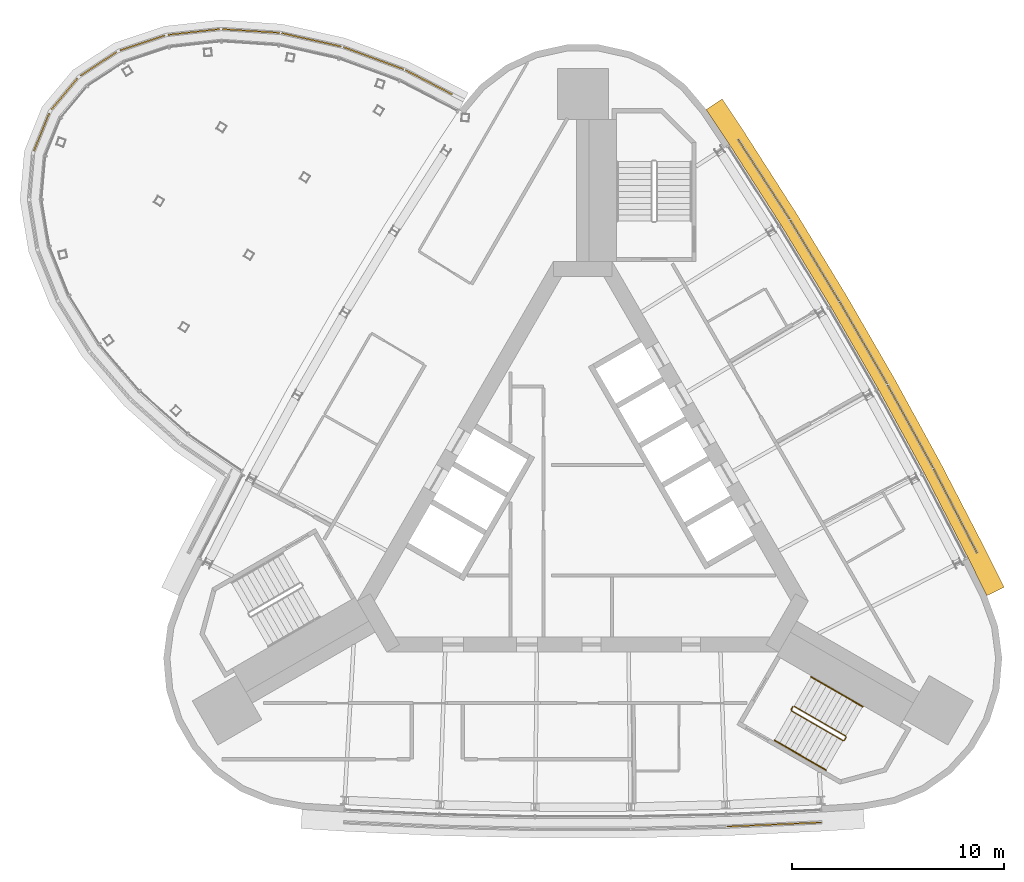
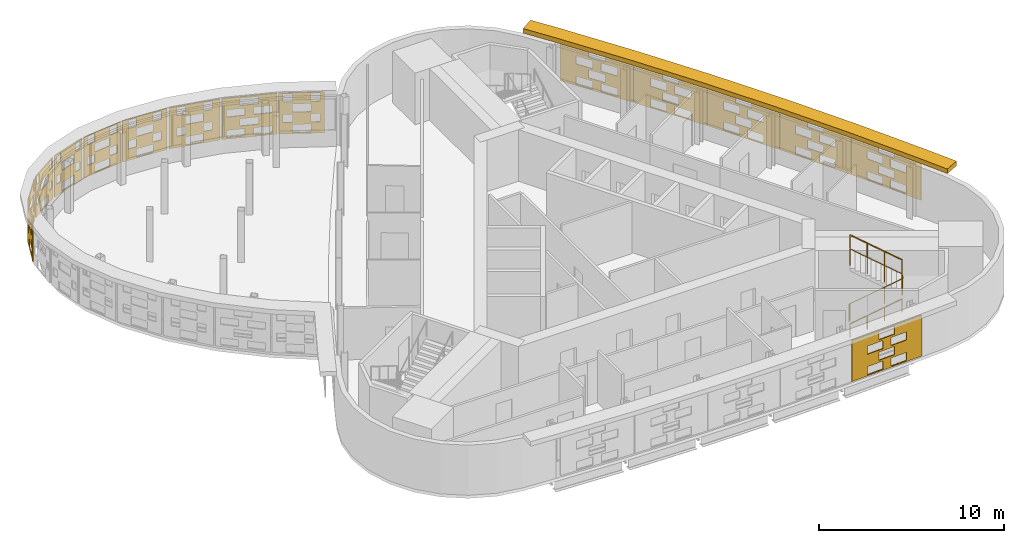
# One storey, part 13 of 13: 16 shading devices, 3 railings.
"""IFC4 building model written with IfcOpenShell, lengths in metres."""

from ifc_helpers import new_model, si_unit, direction, frame, origin, origin_2d, place, context, subcontext, project, spatial, polyline, circle, outline, extrude, material, layer, layer_set, material_profile, profile_set, type_object, element, save


model = new_model("IFC4")

# Units and contexts
model_context = context("Model", 3, precision=1e-05, world=origin(), true_north=direction((0.0, 1.0)))
body_context = subcontext(model_context, "Body", "Model", "MODEL_VIEW")
ifc_project = project(units=[si_unit("LENGTHUNIT", "METRE"), si_unit("AREAUNIT", "SQUARE_METRE"), si_unit("VOLUMEUNIT", "CUBIC_METRE"), si_unit("PLANEANGLEUNIT", "RADIAN"), si_unit("MASSUNIT", "GRAM", prefix="KILO")], contexts=[model_context])

# Site, building, storey
site_placement = place(None, origin())
site = spatial("IfcSite", under=ifc_project, at=site_placement, CompositionType="ELEMENT")
building_placement = place(site_placement, origin())
building = spatial("IfcBuilding", under=site, at=building_placement, Name="Noor Cloister Tower", CompositionType="ELEMENT")
storey_placement = place(building_placement, frame((0.0, 0.0, 263.39990234375)))
storey = spatial("IfcBuildingStorey", under=building, at=storey_placement, Name="L67", CompositionType="ELEMENT", Elevation=263.39990234375)

# Shading devices
ifc_material_1 = material(Name="Limestone", Category="masonry")
ifc_material_profile = material_profile(ifc_material_1, outline(polyline([(-2.22998046875, -1.35009765625), (2.22998046875, -1.35009765625), (2.22998046875, 1.35009765625), (-2.22998046875, 1.35009765625), (-2.22998046875, -1.35009765625)]), holes=[polyline([(-1.25, -1.282470703125), (-0.25, -1.282470703125), (-0.25, -0.742431640625), (-1.25, -0.742431640625), (-1.25, -1.282470703125)]), polyline([(0.25, -1.282470703125), (1.25, -1.282470703125), (1.25, -0.742431640625), (0.25, -0.742431640625), (0.25, -1.282470703125)]), polyline([(-0.5, -0.607421875), (0.5, -0.607421875), (0.5, -0.0673828125), (-0.5, -0.0673828125), (-0.5, -0.607421875)]), polyline([(-1.25, 0.0673828125), (-0.25, 0.0673828125), (-0.25, 0.607421875), (-1.25, 0.607421875), (-1.25, 0.0673828125)]), polyline([(0.25, 0.0673828125), (1.25, 0.0673828125), (1.25, 0.607421875), (0.25, 0.607421875), (0.25, 0.0673828125)]), polyline([(-0.5, 0.742431640625), (0.5, 0.742431640625), (0.5, 1.282470703125), (-0.5, 1.282470703125), (-0.5, 0.742431640625)])]), Name="Woven screen 35 percent open")
ifc_profile_set = profile_set([ifc_material_profile], Name="Limestone")
shading_device_type_1 = type_object("IfcShadingDeviceType", Name="SCREEN woven limestone 35 percent open", PredefinedType="USERDEFINED", material=ifc_profile_set)
shading_device_1_placement = place(storey_placement, frame((9.01708984375, -15.014404296875, 1.85009765625), z_axis=(0.044852774233, -0.998993607909, 0.0), x_axis=(0.998993607909, 0.044852774233, 0.0)))
element("IfcShadingDevice", 1, at=shading_device_1_placement, inside=storey, type_object=shading_device_type_1, Name="SCREEN L67 5", ObjectType="SCREEN", PredefinedType="USERDEFINED", context=body_context, shape_type="SweptSolid", body=[
    extrude(outline(polyline([(-2.22998046875, -1.35009765625), (2.22998046875, -1.35009765625), (2.22998046875, 1.35009765625), (-2.22998046875, 1.35009765625), (-2.22998046875, -1.35009765625)]), holes=[polyline([(-1.25, -1.282470703125), (-0.25, -1.282470703125), (-0.25, -0.742431640625), (-1.25, -0.742431640625), (-1.25, -1.282470703125)]), polyline([(0.25, -1.282470703125), (1.25, -1.282470703125), (1.25, -0.742431640625), (0.25, -0.742431640625), (0.25, -1.282470703125)]), polyline([(-0.5, -0.607421875), (0.5, -0.607421875), (0.5, -0.0673828125), (-0.5, -0.0673828125), (-0.5, -0.607421875)]), polyline([(-1.25, 0.0673828125), (-0.25, 0.0673828125), (-0.25, 0.607421875), (-1.25, 0.607421875), (-1.25, 0.0673828125)]), polyline([(0.25, 0.0673828125), (1.25, 0.0673828125), (1.25, 0.607421875), (0.25, 0.607421875), (0.25, 0.0673828125)]), polyline([(-0.5, 0.742431640625), (0.5, 0.742431640625), (0.5, 1.282470703125), (-0.5, 1.282470703125), (-0.5, 0.742431640625)])]), origin(), (0.0, 0.0, 1.0), 0.059814453125),
])
shading_device_2_placement = place(storey_placement, frame((17.51123046875, -0.3017578125, 1.85009765625), z_axis=(0.888674000225, 0.458539552628, 0.0), x_axis=(-0.458539552628, 0.888674000225, 0.0)))
element("IfcShadingDevice", 2, at=shading_device_2_placement, inside=storey, type_object=shading_device_type_1, Name="SCREEN L67 1", ObjectType="SCREEN", PredefinedType="USERDEFINED", context=body_context, shape_type="SweptSolid", body=[
    extrude(outline(polyline([(-2.22998046875, -1.35009765625), (2.22998046875, -1.35009765625), (2.22998046875, 1.35009765625), (-2.22998046875, 1.35009765625), (-2.22998046875, -1.35009765625)]), holes=[polyline([(-1.25, -1.282470703125), (-0.25, -1.282470703125), (-0.25, -0.742431640625), (-1.25, -0.742431640625), (-1.25, -1.282470703125)]), polyline([(0.25, -1.282470703125), (1.25, -1.282470703125), (1.25, -0.742431640625), (0.25, -0.742431640625), (0.25, -1.282470703125)]), polyline([(-0.5, -0.607421875), (0.5, -0.607421875), (0.5, -0.0673828125), (-0.5, -0.0673828125), (-0.5, -0.607421875)]), polyline([(-1.25, 0.0673828125), (-0.25, 0.0673828125), (-0.25, 0.607421875), (-1.25, 0.607421875), (-1.25, 0.0673828125)]), polyline([(0.25, 0.0673828125), (1.25, 0.0673828125), (1.25, 0.607421875), (0.25, 0.607421875), (0.25, 0.0673828125)]), polyline([(-0.5, 0.742431640625), (0.5, 0.742431640625), (0.5, 1.282470703125), (-0.5, 1.282470703125), (-0.5, 0.742431640625)])]), origin(), (0.0, 0.0, 1.0), 0.06005859375),
])
shading_device_3_placement = place(storey_placement, frame((15.3935546875, 3.679931640625, 1.85009765625), z_axis=(0.876645997325, 0.481135942718, 0.0), x_axis=(-0.481135942718, 0.876645997325, 0.0)))
element("IfcShadingDevice", 3, at=shading_device_3_placement, inside=storey, type_object=shading_device_type_1, Name="SCREEN L67 2", ObjectType="SCREEN", PredefinedType="USERDEFINED", context=body_context, shape_type="SweptSolid", body=[
    extrude(outline(polyline([(-2.22998046875, -1.35009765625), (2.22998046875, -1.35009765625), (2.22998046875, 1.35009765625), (-2.22998046875, 1.35009765625), (-2.22998046875, -1.35009765625)]), holes=[polyline([(-1.25, -1.282470703125), (-0.25, -1.282470703125), (-0.25, -0.742431640625), (-1.25, -0.742431640625), (-1.25, -1.282470703125)]), polyline([(0.25, -1.282470703125), (1.25, -1.282470703125), (1.25, -0.742431640625), (0.25, -0.742431640625), (0.25, -1.282470703125)]), polyline([(-0.5, -0.607421875), (0.5, -0.607421875), (0.5, -0.0673828125), (-0.5, -0.0673828125), (-0.5, -0.607421875)]), polyline([(-1.25, 0.0673828125), (-0.25, 0.0673828125), (-0.25, 0.607421875), (-1.25, 0.607421875), (-1.25, 0.0673828125)]), polyline([(0.25, 0.0673828125), (1.25, 0.0673828125), (1.25, 0.607421875), (0.25, 0.607421875), (0.25, 0.0673828125)]), polyline([(-0.5, 0.742431640625), (0.5, 0.742431640625), (0.5, 1.282470703125), (-0.5, 1.282470703125), (-0.5, 0.742431640625)])]), origin(), (0.0, 0.0, 1.0), 0.059814453125),
])
shading_device_4_placement = place(storey_placement, frame((13.183837890625, 7.61181640625, 1.85009765625), z_axis=(0.865982457891, 0.500074377092, 0.0), x_axis=(-0.500074377092, 0.865982457891, 0.0)))
element("IfcShadingDevice", 4, at=shading_device_4_placement, inside=storey, type_object=shading_device_type_1, Name="SCREEN L67 3", ObjectType="SCREEN", PredefinedType="USERDEFINED", context=body_context, shape_type="SweptSolid", body=[
    extrude(outline(polyline([(-2.22998046875, -1.35009765625), (2.22998046875, -1.35009765625), (2.22998046875, 1.35009765625), (-2.22998046875, 1.35009765625), (-2.22998046875, -1.35009765625)]), holes=[polyline([(-1.25, -1.282470703125), (-0.25, -1.282470703125), (-0.25, -0.742431640625), (-1.25, -0.742431640625), (-1.25, -1.282470703125)]), polyline([(0.25, -1.282470703125), (1.25, -1.282470703125), (1.25, -0.742431640625), (0.25, -0.742431640625), (0.25, -1.282470703125)]), polyline([(-0.5, -0.607421875), (0.5, -0.607421875), (0.5, -0.0673828125), (-0.5, -0.0673828125), (-0.5, -0.607421875)]), polyline([(-1.25, 0.0673828125), (-0.25, 0.0673828125), (-0.25, 0.607421875), (-1.25, 0.607421875), (-1.25, 0.0673828125)]), polyline([(0.25, 0.0673828125), (1.25, 0.0673828125), (1.25, 0.607421875), (0.25, 0.607421875), (0.25, 0.0673828125)]), polyline([(-0.5, 0.742431640625), (0.5, 0.742431640625), (0.5, 1.282470703125), (-0.5, 1.282470703125), (-0.5, 0.742431640625)])]), origin(), (0.0, 0.0, 1.0), 0.06005859375),
])
for number, where, z_axis, x_axis, name in (
    (5, (10.8837890625, 11.4912109375, 1.85009765625), (0.855690023312, 0.517488728384, 0.0), (-0.517488728384, 0.855690023312, 0.0), "SCREEN L67 4"),
    (6, (8.494384765625, 15.316162109375, 1.85009765625), (0.840116811995, 0.54240551454, 0.0), (-0.54240551454, 0.840116811995, 0.0), "SCREEN L67 5"),
):
    element("IfcShadingDevice", number, at=place(storey_placement, frame(where, z_axis=z_axis, x_axis=x_axis)), inside=storey, type_object=shading_device_type_1, Name=name, ObjectType="SCREEN", PredefinedType="USERDEFINED", context=body_context, shape_type="SweptSolid", body=[
        extrude(outline(polyline([(-2.22998046875, -1.35009765625), (2.22998046875, -1.35009765625), (2.22998046875, 1.35009765625), (-2.22998046875, 1.35009765625), (-2.22998046875, -1.35009765625)]), holes=[polyline([(-1.25, -1.282470703125), (-0.25, -1.282470703125), (-0.25, -0.742431640625), (-1.25, -0.742431640625), (-1.25, -1.282470703125)]), polyline([(0.25, -1.282470703125), (1.25, -1.282470703125), (1.25, -0.742431640625), (0.25, -0.742431640625), (0.25, -1.282470703125)]), polyline([(-0.5, -0.607421875), (0.5, -0.607421875), (0.5, -0.0673828125), (-0.5, -0.0673828125), (-0.5, -0.607421875)]), polyline([(-1.25, 0.0673828125), (-0.25, 0.0673828125), (-0.25, 0.607421875), (-1.25, 0.607421875), (-1.25, 0.0673828125)]), polyline([(0.25, 0.0673828125), (1.25, 0.0673828125), (1.25, 0.607421875), (0.25, 0.607421875), (0.25, 0.0673828125)]), polyline([(-0.5, 0.742431640625), (0.5, 0.742431640625), (0.5, 1.282470703125), (-0.5, 1.282470703125), (-0.5, 0.742431640625)])]), origin(), (0.0, 0.0, 1.0), 0.059814453125),
    ])
ifc_material_2 = material(Name="Limestone", Category="masonry")
ifc_layer = layer(ifc_material_2, 0.06005859375)
ifc_layer_set = layer_set([ifc_layer], Name="SCREEN woven limestone pod 35 percent open")
shading_device_type_2 = type_object("IfcShadingDeviceType", Name="SCREEN woven limestone pod 35 percent open", PredefinedType="USERDEFINED", material=ifc_layer_set)
shading_device_5_placement = place(storey_placement, frame((-7.25634765625, 19.86767578125, 1.85009765625), z_axis=(0.460198285861, 0.887816162103, 0.0), x_axis=(-0.887816162103, 0.460198285861, 0.0)))
element("IfcShadingDevice", 7, at=shading_device_5_placement, inside=storey, type_object=shading_device_type_2, Name="SCREEN L67 1", ObjectType="SCREEN", PredefinedType="USERDEFINED", context=body_context, shape_type="SweptSolid", body=[
    extrude(outline(polyline([(-1.24365234375, -1.35009765625), (1.24365234375, -1.35009765625), (1.24365234375, 1.35009765625), (-1.24365234375, 1.35009765625), (-1.24365234375, -1.35009765625)]), holes=[polyline([(-0.5, -1.282470703125), (0.5, -1.282470703125), (0.5, -0.742431640625), (-0.5, -0.742431640625), (-0.5, -1.282470703125)]), polyline([(-1.0, -0.607421875), (-0.5, -0.607421875), (-0.5, -0.0673828125), (-1.0, -0.0673828125), (-1.0, -0.607421875)]), polyline([(0.5, -0.607421875), (1.0, -0.607421875), (1.0, -0.0673828125), (0.5, -0.0673828125), (0.5, -0.607421875)]), polyline([(-0.5, 0.0673828125), (0.5, 0.0673828125), (0.5, 0.607421875), (-0.5, 0.607421875), (-0.5, 0.0673828125)]), polyline([(-1.0, 0.742431640625), (-0.5, 0.742431640625), (-0.5, 1.282470703125), (-1.0, 1.282470703125), (-1.0, 0.742431640625)]), polyline([(0.5, 0.742431640625), (1.0, 0.742431640625), (1.0, 1.282470703125), (0.5, 1.282470703125), (0.5, 0.742431640625)])]), origin(), (0.0, 0.0, 1.0), 0.06005859375),
])
shading_device_6_placement = place(storey_placement, frame((-9.86279296875, 21.001220703125, 1.85009765625), z_axis=(0.345328788842, 0.938481767323, 0.0), x_axis=(-0.938481767323, 0.345328788842, 0.0)))
element("IfcShadingDevice", 8, at=shading_device_6_placement, inside=storey, type_object=shading_device_type_2, Name="SCREEN L67 2", ObjectType="SCREEN", PredefinedType="USERDEFINED", context=body_context, shape_type="SweptSolid", body=[
    extrude(outline(polyline([(-1.50732421875, -1.35009765625), (1.50732421875, -1.35009765625), (1.50732421875, 1.35009765625), (-1.50732421875, 1.35009765625), (-1.50732421875, -1.35009765625)]), holes=[polyline([(-1.25, -1.25), (-0.25, -1.25), (-0.25, -0.775146484375), (-1.25, -0.775146484375), (-1.25, -1.25)]), polyline([(0.25, -1.25), (1.25, -1.25), (1.25, -0.775146484375), (0.25, -0.775146484375), (0.25, -1.25)]), polyline([(-0.5, -0.574951171875), (0.5, -0.574951171875), (0.5, -0.10009765625), (-0.5, -0.10009765625), (-0.5, -0.574951171875)]), polyline([(-1.25, 0.10009765625), (-0.25, 0.10009765625), (-0.25, 0.574951171875), (-1.25, 0.574951171875), (-1.25, 0.10009765625)]), polyline([(0.25, 0.10009765625), (1.25, 0.10009765625), (1.25, 0.574951171875), (0.25, 0.574951171875), (0.25, 0.10009765625)]), polyline([(-0.5, 0.775146484375), (0.5, 0.775146484375), (0.5, 1.25), (-0.5, 1.25), (-0.5, 0.775146484375)])]), origin(), (0.0, 0.0, 1.0), 0.06005859375),
])
shading_device_7_placement = place(storey_placement, frame((-12.77734375, 21.86279296875, 1.85009765625), z_axis=(0.219512195122, 0.975609756098, 0.0), x_axis=(-0.975609756098, 0.219512195122, 0.0)))
element("IfcShadingDevice", 9, at=shading_device_7_placement, inside=storey, type_object=shading_device_type_2, Name="SCREEN L67 3", ObjectType="SCREEN", PredefinedType="USERDEFINED", context=body_context, shape_type="SweptSolid", body=[
    extrude(outline(polyline([(-1.43798828125, -1.35009765625), (1.43798828125, -1.35009765625), (1.43798828125, 1.35009765625), (-1.43798828125, 1.35009765625), (-1.43798828125, -1.35009765625)]), holes=[polyline([(-0.5, -1.282470703125), (0.5, -1.282470703125), (0.5, -0.742431640625), (-0.5, -0.742431640625), (-0.5, -1.282470703125)]), polyline([(-1.0, -0.607421875), (-0.5, -0.607421875), (-0.5, -0.0673828125), (-1.0, -0.0673828125), (-1.0, -0.607421875)]), polyline([(0.5, -0.607421875), (1.0, -0.607421875), (1.0, -0.0673828125), (0.5, -0.0673828125), (0.5, -0.607421875)]), polyline([(-0.5, 0.0673828125), (0.5, 0.0673828125), (0.5, 0.607421875), (-0.5, 0.607421875), (-0.5, 0.0673828125)]), polyline([(-1.0, 0.742431640625), (-0.5, 0.742431640625), (-0.5, 1.282470703125), (-1.0, 1.282470703125), (-1.0, 0.742431640625)]), polyline([(0.5, 0.742431640625), (1.0, 0.742431640625), (1.0, 1.282470703125), (0.5, 1.282470703125), (0.5, 0.742431640625)])]), origin(), (0.0, 0.0, 1.0), 0.06005859375),
])
shading_device_8_placement = place(storey_placement, frame((-15.626708984375, 22.279541015625, 1.85009765625), z_axis=(0.064903515062, 0.997891544073, 0.0), x_axis=(-0.997891544073, 0.064903515062, 0.0)))
element("IfcShadingDevice", 10, at=shading_device_8_placement, inside=storey, type_object=shading_device_type_2, Name="SCREEN L67 4", ObjectType="SCREEN", PredefinedType="USERDEFINED", context=body_context, shape_type="SweptSolid", body=[
    extrude(outline(polyline([(-1.342041015625, -1.35009765625), (1.342041015625, -1.35009765625), (1.342041015625, 1.35009765625), (-1.342041015625, 1.35009765625), (-1.342041015625, -1.35009765625)]), holes=[polyline([(-0.5, -1.282470703125), (0.5, -1.282470703125), (0.5, -0.742431640625), (-0.5, -0.742431640625), (-0.5, -1.282470703125)]), polyline([(-1.0, -0.607421875), (-0.5, -0.607421875), (-0.5, -0.0673828125), (-1.0, -0.0673828125), (-1.0, -0.607421875)]), polyline([(0.5, -0.607421875), (1.0, -0.607421875), (1.0, -0.0673828125), (0.5, -0.0673828125), (0.5, -0.607421875)]), polyline([(-0.5, 0.0673828125), (0.5, 0.0673828125), (0.5, 0.607421875), (-0.5, 0.607421875), (-0.5, 0.0673828125)]), polyline([(-1.0, 0.742431640625), (-0.5, 0.742431640625), (-0.5, 1.282470703125), (-1.0, 1.282470703125), (-1.0, 0.742431640625)]), polyline([(0.5, 0.742431640625), (1.0, 0.742431640625), (1.0, 1.282470703125), (0.5, 1.282470703125), (0.5, 0.742431640625)])]), origin(), (0.0, 0.0, 1.0), 0.060302734375),
])
shading_device_9_placement = place(storey_placement, frame((-18.307373046875, 22.232421875, 1.85009765625), z_axis=(-0.109984423748, 0.993933310908, 0.0), x_axis=(-0.993933310908, -0.109984423748, 0.0)))
element("IfcShadingDevice", 11, at=shading_device_9_placement, inside=storey, type_object=shading_device_type_2, Name="SCREEN L67 5", ObjectType="SCREEN", PredefinedType="USERDEFINED", context=body_context, shape_type="SweptSolid", body=[
    extrude(outline(polyline([(-1.229736328125, -1.35009765625), (1.229736328125, -1.35009765625), (1.229736328125, 1.35009765625), (-1.229736328125, 1.35009765625), (-1.229736328125, -1.35009765625)]), holes=[polyline([(-0.5, -1.282470703125), (0.5, -1.282470703125), (0.5, -0.742431640625), (-0.5, -0.742431640625), (-0.5, -1.282470703125)]), polyline([(-1.0, -0.607421875), (-0.5, -0.607421875), (-0.5, -0.0673828125), (-1.0, -0.0673828125), (-1.0, -0.607421875)]), polyline([(0.5, -0.607421875), (1.0, -0.607421875), (1.0, -0.0673828125), (0.5, -0.0673828125), (0.5, -0.607421875)]), polyline([(-0.5, 0.0673828125), (0.5, 0.0673828125), (0.5, 0.607421875), (-0.5, 0.607421875), (-0.5, 0.0673828125)]), polyline([(-1.0, 0.742431640625), (-0.5, 0.742431640625), (-0.5, 1.282470703125), (-1.0, 1.282470703125), (-1.0, 0.742431640625)]), polyline([(0.5, 0.742431640625), (1.0, 0.742431640625), (1.0, 1.282470703125), (0.5, 1.282470703125), (0.5, 0.742431640625)])]), origin(), (0.0, 0.0, 1.0), 0.059814453125),
])
shading_device_10_placement = place(storey_placement, frame((-20.720458984375, 21.715576171875, 1.85009765625), z_axis=(-0.317448459736, 0.94827552716, 0.0), x_axis=(-0.94827552716, -0.317448459736, 0.0)))
element("IfcShadingDevice", 12, at=shading_device_10_placement, inside=storey, type_object=shading_device_type_2, Name="SCREEN L67 6", ObjectType="SCREEN", PredefinedType="USERDEFINED", context=body_context, shape_type="SweptSolid", body=[
    extrude(outline(polyline([(-1.1162109375, -1.35009765625), (1.1162109375, -1.35009765625), (1.1162109375, 1.35009765625), (-1.1162109375, 1.35009765625), (-1.1162109375, -1.35009765625)]), holes=[polyline([(-0.5, -1.282470703125), (0.5, -1.282470703125), (0.5, -0.742431640625), (-0.5, -0.742431640625), (-0.5, -1.282470703125)]), polyline([(0.60009765625, -0.607421875), (0.96630859375, -0.607421875), (0.96630859375, -0.0673828125), (0.60009765625, -0.0673828125), (0.60009765625, -0.607421875)]), polyline([(-0.96630859375, -0.607421875), (-0.60009765625, -0.607421875), (-0.60009765625, -0.0673828125), (-0.96630859375, -0.0673828125), (-0.96630859375, -0.607421875)]), polyline([(-0.5, 0.0673828125), (0.5, 0.0673828125), (0.5, 0.607421875), (-0.5, 0.607421875), (-0.5, 0.0673828125)]), polyline([(0.60009765625, 0.742431640625), (0.96630859375, 0.742431640625), (0.96630859375, 1.282470703125), (0.60009765625, 1.282470703125), (0.60009765625, 0.742431640625)]), polyline([(-0.96630859375, 0.742431640625), (-0.60009765625, 0.742431640625), (-0.60009765625, 1.282470703125), (-0.96630859375, 1.282470703125), (-0.96630859375, 0.742431640625)])]), origin(), (0.0, 0.0, 1.0), 0.06005859375),
])
shading_device_11_placement = place(storey_placement, frame((-22.773681640625, 20.7373046875, 1.85009765625), z_axis=(-0.547139346477, 0.837041537521, 0.0), x_axis=(-0.837041537521, -0.547139346477, 0.0)))
element("IfcShadingDevice", 13, at=shading_device_11_placement, inside=storey, type_object=shading_device_type_2, Name="SCREEN L67 7", ObjectType="SCREEN", PredefinedType="USERDEFINED", context=body_context, shape_type="SweptSolid", body=[
    extrude(outline(polyline([(-1.02099609375, -1.35009765625), (1.02099609375, -1.35009765625), (1.02099609375, 1.35009765625), (-1.02099609375, 1.35009765625), (-1.02099609375, -1.35009765625)]), holes=[polyline([(-0.5, -1.282470703125), (0.5, -1.282470703125), (0.5, -0.742431640625), (-0.5, -0.742431640625), (-0.5, -1.282470703125)]), polyline([(0.60009765625, -0.607421875), (0.87109375, -0.607421875), (0.87109375, -0.0673828125), (0.60009765625, -0.0673828125), (0.60009765625, -0.607421875)]), polyline([(-0.87109375, -0.607421875), (-0.60009765625, -0.607421875), (-0.60009765625, -0.0673828125), (-0.87109375, -0.0673828125), (-0.87109375, -0.607421875)]), polyline([(-0.5, 0.0673828125), (0.5, 0.0673828125), (0.5, 0.607421875), (-0.5, 0.607421875), (-0.5, 0.0673828125)]), polyline([(0.60009765625, 0.742431640625), (0.87109375, 0.742431640625), (0.87109375, 1.282470703125), (0.60009765625, 1.282470703125), (0.60009765625, 0.742431640625)]), polyline([(-0.87109375, 0.742431640625), (-0.60009765625, 0.742431640625), (-0.60009765625, 1.282470703125), (-0.87109375, 1.282470703125), (-0.87109375, 0.742431640625)])]), origin(), (0.0, 0.0, 1.0), 0.059814453125),
])
shading_device_12_placement = place(storey_placement, frame((-24.37744140625, 19.324462890625, 1.85009765625), z_axis=(-0.767222138414, 0.641381470209, 0.0), x_axis=(-0.641381470209, -0.767222138414, 0.0)))
element("IfcShadingDevice", 14, at=shading_device_12_placement, inside=storey, type_object=shading_device_type_2, Name="SCREEN L67 8", ObjectType="SCREEN", PredefinedType="USERDEFINED", context=body_context, shape_type="SweptSolid", body=[
    extrude(outline(polyline([(-0.9658203125, -1.35009765625), (0.9658203125, -1.35009765625), (0.9658203125, 1.35009765625), (-0.9658203125, 1.35009765625), (-0.9658203125, -1.35009765625)]), holes=[polyline([(-0.5, -1.282470703125), (0.5, -1.282470703125), (0.5, -0.742431640625), (-0.5, -0.742431640625), (-0.5, -1.282470703125)]), polyline([(0.60009765625, -0.607421875), (0.815673828125, -0.607421875), (0.815673828125, -0.0673828125), (0.60009765625, -0.0673828125), (0.60009765625, -0.607421875)]), polyline([(-0.815673828125, -0.607421875), (-0.60009765625, -0.607421875), (-0.60009765625, -0.0673828125), (-0.815673828125, -0.0673828125), (-0.815673828125, -0.607421875)]), polyline([(-0.5, 0.0673828125), (0.5, 0.0673828125), (0.5, 0.607421875), (-0.5, 0.607421875), (-0.5, 0.0673828125)]), polyline([(0.60009765625, 0.742431640625), (0.815673828125, 0.742431640625), (0.815673828125, 1.282470703125), (0.60009765625, 1.282470703125), (0.60009765625, 0.742431640625)]), polyline([(-0.815673828125, 0.742431640625), (-0.60009765625, 0.742431640625), (-0.60009765625, 1.282470703125), (-0.815673828125, 1.282470703125), (-0.815673828125, 0.742431640625)])]), origin(), (0.0, 0.0, 1.0), 0.06005859375),
])
shading_device_13_placement = place(storey_placement, frame((-25.451416015625, 17.5341796875, 1.85009765625), z_axis=(-0.926777682961, 0.375610338469, 0.0), x_axis=(-0.375610338469, -0.926777682961, 0.0)))
element("IfcShadingDevice", 15, at=shading_device_13_placement, inside=storey, type_object=shading_device_type_2, Name="SCREEN L67 9", ObjectType="SCREEN", PredefinedType="USERDEFINED", context=body_context, shape_type="SweptSolid", body=[
    extrude(outline(polyline([(-0.9658203125, -1.35009765625), (0.9658203125, -1.35009765625), (0.9658203125, 1.35009765625), (-0.9658203125, 1.35009765625), (-0.9658203125, -1.35009765625)]), holes=[polyline([(-0.5, -1.282470703125), (0.5, -1.282470703125), (0.5, -0.742431640625), (-0.5, -0.742431640625), (-0.5, -1.282470703125)]), polyline([(0.60009765625, -0.607421875), (0.815673828125, -0.607421875), (0.815673828125, -0.0673828125), (0.60009765625, -0.0673828125), (0.60009765625, -0.607421875)]), polyline([(-0.815673828125, -0.607421875), (-0.60009765625, -0.607421875), (-0.60009765625, -0.0673828125), (-0.815673828125, -0.0673828125), (-0.815673828125, -0.607421875)]), polyline([(-0.5, 0.0673828125), (0.5, 0.0673828125), (0.5, 0.607421875), (-0.5, 0.607421875), (-0.5, 0.0673828125)]), polyline([(0.60009765625, 0.742431640625), (0.815673828125, 0.742431640625), (0.815673828125, 1.282470703125), (0.60009765625, 1.282470703125), (0.60009765625, 0.742431640625)]), polyline([(-0.815673828125, 0.742431640625), (-0.60009765625, 0.742431640625), (-0.60009765625, 1.282470703125), (-0.815673828125, 1.282470703125), (-0.815673828125, 0.742431640625)])]), origin(), (0.0, 0.0, 1.0), 0.059814453125),
])
ifc_material_3 = material(Name="Limestone", Category="masonry")
shading_device_type_3 = type_object("IfcShadingDeviceType", Name="SUNSHADE limestone band 900", PredefinedType="USERDEFINED", material=ifc_material_3)
shading_device_14_placement = place(storey_placement, frame((0.0, 0.0, 3.300048828125)))
element("IfcShadingDevice", 16, at=shading_device_14_placement, inside=storey, type_object=shading_device_type_3, Name="SUNSHADE L67 3", ObjectType="SUNSHADE", PredefinedType="USERDEFINED", context=body_context, shape_type="SweptSolid", body=[
    extrude(outline(polyline([(19.827392578125, -3.873291015625), (18.947998046875, -2.100341796875), (16.872802734375, 1.91259765625), (14.703857421875, 5.879150390625), (12.443359375, 9.794189453125), (10.0927734375, 13.656005859375), (7.655029296875, 17.45947265625), (6.559326171875, 19.10791015625), (5.809814453125, 18.609619140625), (6.9013671875, 16.967529296875), (9.32958984375, 13.178955078125), (11.669189453125, 9.335205078125), (13.919189453125, 5.438232421875), (16.078125, 1.489990234375), (18.14501953125, -2.507080078125), (19.021240234375, -4.2734375), (19.827392578125, -3.873291015625)])), origin(), (0.0, 0.0, 1.0), 0.300048828125),
])

# Railings
ifc_material_4 = material(Name="Stainless steel", Category="steel")
railing_type_1 = type_object("IfcRailingType", Name="Stair guard 1100", PredefinedType="GUARDRAIL", material=ifc_material_4)
railing_1_placement = place(storey_placement, frame((9.805908203125, -9.628662109375, 0.0)))
element("IfcRailing", 17, at=railing_1_placement, inside=storey, type_object=railing_type_1, Name="Stair guard ST3 L67", PredefinedType="GUARDRAIL", context=body_context, shape_type="SweptSolid", body=[
    extrude(circle(Radius=0.02392578125, at=origin_2d()), frame((0.0, 0.0, 1.076171875), z_axis=(0.499112439033, 0.866537231285, 0.0), x_axis=(-0.866537231285, 0.499112439033, 0.0)), (0.0, 0.0, 1.0), 0.150146484375),
    extrude(circle(Radius=0.02392578125, at=origin_2d()), frame((0.074951171875, 0.130126953125, 1.076171875), z_axis=(-0.215090770512, -0.752817696793, 0.622094426784), x_axis=(0.961523947641, -0.274721127897, 0.0)), (0.0, 0.0, 1.0), 0.263427734375),
    extrude(circle(Radius=0.02392578125, at=origin_2d()), frame((0.018310546875, -0.068115234375, 1.23974609375), z_axis=(0.747693913401, -0.431738279637, 0.504535300807), x_axis=(0.500049511043, 0.865996816683, 0.0)), (0.0, 0.0, 1.0), 3.2431640625),
    extrude(circle(Radius=0.02392578125, at=origin_2d()), frame((2.443115234375, -1.46826171875, 2.8759765625), z_axis=(0.965948051503, 0.258736085224, 0.0), x_axis=(-0.258736085224, 0.965948051503, 0.0)), (0.0, 0.0, 1.0), 0.07080078125),
    extrude(circle(Radius=0.02392578125, at=origin_2d()), frame((2.511474609375, -1.449951171875, 2.8759765625), z_axis=(0.499816412211, 0.866131372301, 0.0), x_axis=(-0.866131372301, 0.499816412211, 0.0)), (0.0, 0.0, 1.0), 0.14990234375),
    extrude(circle(Radius=0.02392578125, at=origin_2d()), frame((2.58642578125, -1.320068359375, 2.8759765625), z_axis=(-0.102737316192, 0.383552647116, 0.917786691313), x_axis=(-0.965948051503, -0.258736085224, 0.0)), (0.0, 0.0, 1.0), 0.17822265625),
    extrude(circle(Radius=0.02392578125, at=origin_2d()), frame((2.568115234375, -1.251708984375, 3.03955078125), z_axis=(-0.747689811644, 0.431660630283, 0.504607813879), x_axis=(-0.49998411664, -0.866034573852, 0.0)), (0.0, 0.0, 1.0), 3.2431640625),
    extrude(circle(Radius=0.02099609375, at=origin_2d()), origin(), (0.0, 0.0, 1.0), 1.052001953125),
    extrude(circle(Radius=0.02099609375, at=origin_2d()), frame((0.074951171875, 0.130126953125, 0.0)), (0.0, 0.0, 1.0), 1.052001953125),
    extrude(circle(Radius=0.02099609375, at=origin_2d()), frame((0.018310546875, -0.068115234375, 0.163818359375)), (0.0, 0.0, 1.0), 1.052001953125),
    extrude(circle(Radius=0.02099609375, at=origin_2d()), frame((0.82666015625, -0.534912109375, 0.709228515625)), (0.0, 0.0, 1.0), 1.052001953125),
    extrude(circle(Radius=0.02099609375, at=origin_2d()), frame((1.634765625, -1.00146484375, 1.254638671875)), (0.0, 0.0, 1.0), 1.052001953125),
    extrude(circle(Radius=0.02099609375, at=origin_2d()), frame((2.443115234375, -1.46826171875, 1.800048828125)), (0.0, 0.0, 1.0), 1.052001953125),
    extrude(circle(Radius=0.02099609375, at=origin_2d()), frame((2.511474609375, -1.449951171875, 1.800048828125)), (0.0, 0.0, 1.0), 1.052001953125),
    extrude(circle(Radius=0.02099609375, at=origin_2d()), frame((2.58642578125, -1.320068359375, 1.800048828125)), (0.0, 0.0, 1.0), 1.052001953125),
    extrude(circle(Radius=0.02099609375, at=origin_2d()), frame((2.568115234375, -1.251708984375, 1.963623046875)), (0.0, 0.0, 1.0), 1.052001953125),
    extrude(circle(Radius=0.02099609375, at=origin_2d()), frame((1.759765625, -0.78515625, 2.509033203125)), (0.0, 0.0, 1.0), 1.052001953125),
    extrude(circle(Radius=0.02099609375, at=origin_2d()), frame((0.95166015625, -0.318359375, 3.0546875)), (0.0, 0.0, 1.0), 1.052001953125),
    extrude(circle(Radius=0.02099609375, at=origin_2d()), frame((0.143310546875, 0.148193359375, 3.60009765625)), (0.0, 0.0, 1.0), 1.052001953125),
])
ifc_material_5 = material(Name="Stainless steel", Category="steel")
railing_type_2 = type_object("IfcRailingType", Name="Stair handrail 900", PredefinedType="HANDRAIL", material=ifc_material_5)
railing_2_placement = place(storey_placement, frame((9.024169921875, -11.08251953125, 0.163818359375)))
element("IfcRailing", 18, at=railing_2_placement, inside=storey, type_object=railing_type_2, Name="Stair handrail ST3 L67 1", PredefinedType="HANDRAIL", context=body_context, shape_type="SweptSolid", body=[
    extrude(circle(Radius=0.02392578125, at=origin_2d()), frame((0.0, 0.0, 0.8759765625), z_axis=(0.74771821388, -0.431677027627, 0.504551698492), x_axis=(0.49998411664, 0.866034573852, 0.0)), (0.0, 0.0, 1.0), 3.242919921875),
    extrude(circle(Radius=0.02099609375, at=origin_2d()), origin(), (0.0, 0.0, 1.0), 0.851806640625),
    extrude(circle(Radius=0.02099609375, at=origin_2d()), frame((0.808349609375, -0.466552734375, 0.54541015625)), (0.0, 0.0, 1.0), 0.851806640625),
    extrude(circle(Radius=0.02099609375, at=origin_2d()), frame((1.616455078125, -0.933349609375, 1.0908203125)), (0.0, 0.0, 1.0), 0.851806640625),
    extrude(circle(Radius=0.02099609375, at=origin_2d()), frame((2.4248046875, -1.39990234375, 1.63623046875)), (0.0, 0.0, 1.0), 0.851806640625),
])
railing_3_placement = place(storey_placement, frame((13.174072265625, -9.49462890625, 1.963623046875)))
element("IfcRailing", 19, at=railing_3_placement, inside=storey, type_object=railing_type_2, Name="Stair handrail ST3 L67 2", PredefinedType="HANDRAIL", context=body_context, shape_type="SweptSolid", body=[
    extrude(circle(Radius=0.02392578125, at=origin_2d()), frame((0.0, 0.0, 0.8759765625), z_axis=(-0.747689811644, 0.431660630283, 0.504607813879), x_axis=(-0.49998411664, -0.866034573852, 0.0)), (0.0, 0.0, 1.0), 3.2431640625),
    extrude(circle(Radius=0.02099609375, at=origin_2d()), origin(), (0.0, 0.0, 1.0), 0.851806640625),
    extrude(circle(Radius=0.02099609375, at=origin_2d()), frame((-0.808349609375, 0.466552734375, 0.54541015625)), (0.0, 0.0, 1.0), 0.851806640625),
    extrude(circle(Radius=0.02099609375, at=origin_2d()), frame((-1.616455078125, 0.933349609375, 1.091064453125)), (0.0, 0.0, 1.0), 0.851806640625),
    extrude(circle(Radius=0.02099609375, at=origin_2d()), frame((-2.4248046875, 1.39990234375, 1.636474609375)), (0.0, 0.0, 1.0), 0.851806640625),
])

save(model, "model.ifc")
